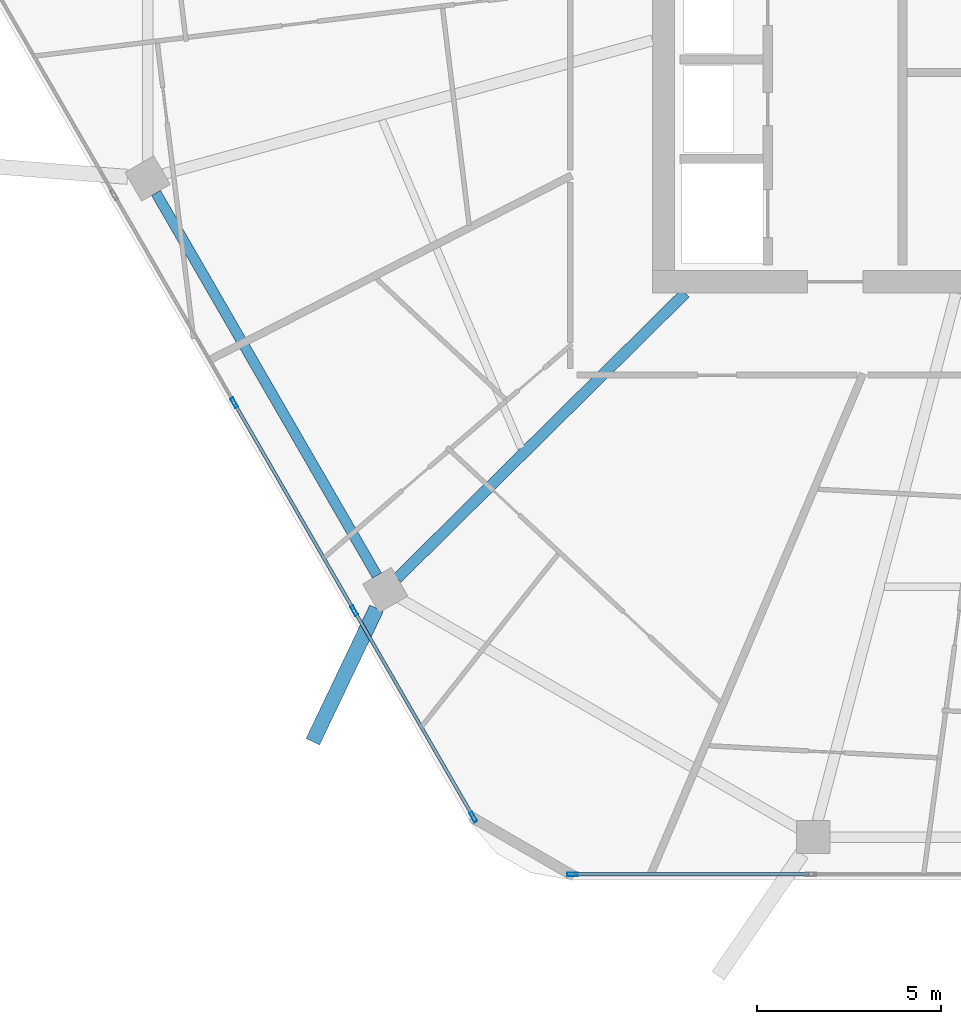
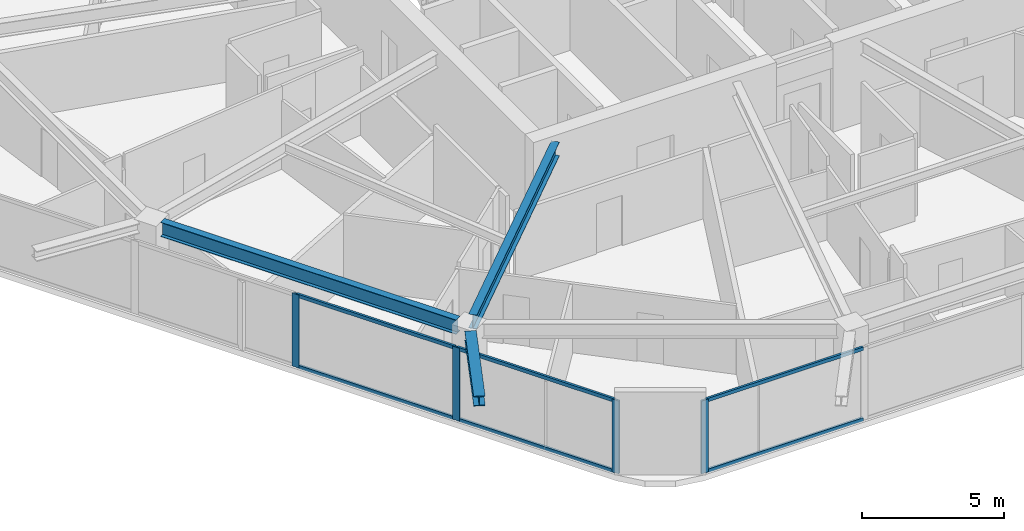
# One storey, part 2 of 25: 10 members, 3 beams, 2 elements without a shape of their own.
"""IFC4 building model written with IfcOpenShell, lengths in metres."""

from ifc_helpers import new_model, si_unit, direction, frame, origin, origin_2d, place, context, subcontext, project, spatial, hollow_rectangle, i_section, extrude, material, material_profile, profile_set, type_object, element, aggregate, save


model = new_model("IFC4")

# Units and contexts
model_context = context("Model", 3, precision=1e-05, world=origin(), true_north=direction((0.0, 1.0)))
body_context = subcontext(model_context, "Body", "Model", "MODEL_VIEW")
ifc_project = project(units=[si_unit("LENGTHUNIT", "METRE"), si_unit("AREAUNIT", "SQUARE_METRE"), si_unit("VOLUMEUNIT", "CUBIC_METRE"), si_unit("PLANEANGLEUNIT", "RADIAN"), si_unit("MASSUNIT", "GRAM", prefix="KILO")], contexts=[model_context])

# Site, building, storey
site_placement = place(None, origin())
site = spatial("IfcSite", under=ifc_project, at=site_placement, CompositionType="ELEMENT")
building_placement = place(site_placement, origin())
building = spatial("IfcBuilding", under=site, at=building_placement, Name="Zuhravey Tower", CompositionType="ELEMENT")
storey_placement = place(building_placement, frame((0.0, 0.0, 257.800048828125)))
storey = spatial("IfcBuildingStorey", under=building, at=storey_placement, Name="L65", CompositionType="ELEMENT", Elevation=257.800048828125)

# Curtain wall, member
ifc_material_1 = material(Name="Thermally broken anodised aluminium", Category="aluminium")
curtain_wall_type = type_object("IfcCurtainWallType", Name="Zone 3-4 High-Rise Curtain Wall CW4", PredefinedType="NOTDEFINED", material=ifc_material_1)
curtain_wall_1_placement = place(storey_placement, origin())
curtain_wall_1 = element("IfcCurtainWall", 1, at=curtain_wall_1_placement, inside=storey, type_object=curtain_wall_type, Name="L65 CW4 CW-L65-F5-1", PredefinedType="NOTDEFINED")
ifc_material_2 = material(Name="Anodised aluminium", Category="aluminium")
ifc_material_profile_1 = material_profile(ifc_material_2, hollow_rectangle(XDim=0.090087890625, YDim=0.284912109375, WallThickness=0.0048828125, at=origin_2d()), Name="ALU-RHS-90x285x5")
ifc_profile_set_1 = profile_set([ifc_material_profile_1], Name="Anodised aluminium")
member_type_1 = type_object("IfcMemberType", Name="Curtain-Wall Mullion 90x180", PredefinedType="MULLION", material=ifc_profile_set_1)
member_1_placement = place(storey_placement, frame((23.0322265625, 6.436279296875, 0.0), z_axis=(0.0, 0.0, 1.0), x_axis=(0.0, -1.0, 0.0)))
member_1 = element("IfcMember", 2, at=member_1_placement, type_object=member_type_1, Name="CW4 mullion 5", PredefinedType="MULLION", context=body_context, shape_type="SweptSolid", body=[
    extrude(hollow_rectangle(XDim=0.090087890625, YDim=0.284912109375, WallThickness=0.0048828125, at=origin_2d()), origin(), (0.0, 0.0, 1.0), 3.1220703125),
])

# Curtain wall, members
curtain_wall_2_placement = place(storey_placement, origin())
curtain_wall_2 = element("IfcCurtainWall", 3, at=curtain_wall_2_placement, inside=storey, type_object=curtain_wall_type, Name="L65 CW4 CW-L65-F4-1", PredefinedType="NOTDEFINED")
member_2_placement = place(storey_placement, frame((20.34521484375, 7.98779296875, 0.0), z_axis=(0.0, 0.0, 1.0), x_axis=(-0.866024851021, -0.500000957414, 0.0)))
member_2 = element("IfcMember", 4, at=member_2_placement, type_object=member_type_1, Name="CW4 mullion 1", PredefinedType="MULLION", context=body_context, shape_type="SweptSolid", body=[
    extrude(hollow_rectangle(XDim=0.090087890625, YDim=0.284912109375, WallThickness=0.0048828125, at=origin_2d()), origin(), (0.0, 0.0, 1.0), 3.1220703125),
])
member_3_placement = place(storey_placement, frame((17.114501953125, 13.58349609375, 0.0), z_axis=(0.0, 0.0, 1.0), x_axis=(-0.866024851021, -0.500000957414, 0.0)))
member_3 = element("IfcMember", 5, at=member_3_placement, type_object=member_type_1, Name="CW4 mullion 2", PredefinedType="MULLION", context=body_context, shape_type="SweptSolid", body=[
    extrude(hollow_rectangle(XDim=0.090087890625, YDim=0.284912109375, WallThickness=0.0048828125, at=origin_2d()), origin(), (0.0, 0.0, 1.0), 3.1220703125),
])
member_4_placement = place(storey_placement, frame((13.861328125, 19.21826171875, 0.0), z_axis=(0.0, 0.0, 1.0), x_axis=(-0.866024851021, -0.500000957414, 0.0)))
member_4 = element("IfcMember", 6, at=member_4_placement, type_object=member_type_1, Name="CW4 mullion 3", PredefinedType="MULLION", context=body_context, shape_type="SweptSolid", body=[
    extrude(hollow_rectangle(XDim=0.090087890625, YDim=0.284912109375, WallThickness=0.0048828125, at=origin_2d()), origin(), (0.0, 0.0, 1.0), 3.1220703125),
])

# Member
ifc_material_profile_2 = material_profile(ifc_material_2, hollow_rectangle(XDim=0.090087890625, YDim=0.14990234375, WallThickness=0.0048828125, at=origin_2d()), Name="ALU-RHS-90x150x5")
ifc_profile_set_2 = profile_set([ifc_material_profile_2], Name="Anodised aluminium")
member_type_2 = type_object("IfcMemberType", Name="Curtain-Wall Transom 90x150", PredefinedType="USERDEFINED", material=ifc_profile_set_2)
member_5_placement = place(storey_placement, frame((29.44873046875, 6.436279296875, 0.044921875), z_axis=(-1.0, 0.0, 0.0), x_axis=(0.0, -1.0, 0.0)))
member_5 = element("IfcMember", 7, at=member_5_placement, type_object=member_type_2, Name="CW4 transom 4.1", ObjectType="TRANSOM", PredefinedType="USERDEFINED", context=body_context, shape_type="SweptSolid", body=[
    extrude(hollow_rectangle(XDim=0.090087890625, YDim=0.14990234375, WallThickness=0.0048828125, at=origin_2d()), origin(), (0.0, 0.0, 1.0), 6.371337890625),
])

member_6_placement = place(storey_placement, frame((29.44873046875, 6.436279296875, 3.076904296875), z_axis=(-1.0, 0.0, 0.0), x_axis=(0.0, -1.0, 0.0)))
member_6 = element("IfcMember", 8, at=member_6_placement, type_object=member_type_2, Name="CW4 transom 4.2", ObjectType="TRANSOM", PredefinedType="USERDEFINED", context=body_context, shape_type="SweptSolid", body=[
    extrude(hollow_rectangle(XDim=0.090087890625, YDim=0.14990234375, WallThickness=0.0048828125, at=origin_2d()), origin(), (0.0, 0.0, 1.0), 6.371337890625),
])

aggregate(curtain_wall_1, [member_1, member_5, member_6])

member_7_placement = place(storey_placement, frame((20.322509765625, 8.02685546875, 0.044921875), z_axis=(-0.499980071345, 0.866036909293, 0.0), x_axis=(-0.866036909293, -0.499980071345, 0.0)))
member_7 = element("IfcMember", 9, at=member_7_placement, type_object=member_type_2, Name="CW4 transom 1.1", ObjectType="TRANSOM", PredefinedType="USERDEFINED", context=body_context, shape_type="SweptSolid", body=[
    extrude(hollow_rectangle(XDim=0.090087890625, YDim=0.14990234375, WallThickness=0.0048828125, at=origin_2d()), origin(), (0.0, 0.0, 1.0), 6.371337890625),
])

member_8_placement = place(storey_placement, frame((20.322509765625, 8.02685546875, 3.076904296875), z_axis=(-0.499980071345, 0.866036909293, 0.0), x_axis=(-0.866036909293, -0.499980071345, 0.0)))
member_8 = element("IfcMember", 10, at=member_8_placement, type_object=member_type_2, Name="CW4 transom 1.2", ObjectType="TRANSOM", PredefinedType="USERDEFINED", context=body_context, shape_type="SweptSolid", body=[
    extrude(hollow_rectangle(XDim=0.090087890625, YDim=0.14990234375, WallThickness=0.0048828125, at=origin_2d()), origin(), (0.0, 0.0, 1.0), 6.371337890625),
])

member_9_placement = place(storey_placement, frame((17.092041015625, 13.62255859375, 0.044921875), z_axis=(-0.500014493347, 0.866017035885, 0.0), x_axis=(-0.866017035885, -0.500014493347, 0.0)))
member_9 = element("IfcMember", 11, at=member_9_placement, type_object=member_type_2, Name="CW4 transom 2.1", ObjectType="TRANSOM", PredefinedType="USERDEFINED", context=body_context, shape_type="SweptSolid", body=[
    extrude(hollow_rectangle(XDim=0.090087890625, YDim=0.14990234375, WallThickness=0.0048828125, at=origin_2d()), origin(), (0.0, 0.0, 1.0), 6.416259765625),
])

member_10_placement = place(storey_placement, frame((17.092041015625, 13.62255859375, 3.076904296875), z_axis=(-0.500014493347, 0.866017035885, 0.0), x_axis=(-0.866017035885, -0.500014493347, 0.0)))
member_10 = element("IfcMember", 12, at=member_10_placement, type_object=member_type_2, Name="CW4 transom 2.2", ObjectType="TRANSOM", PredefinedType="USERDEFINED", context=body_context, shape_type="SweptSolid", body=[
    extrude(hollow_rectangle(XDim=0.090087890625, YDim=0.14990234375, WallThickness=0.0048828125, at=origin_2d()), origin(), (0.0, 0.0, 1.0), 6.416259765625),
])

aggregate(curtain_wall_2, [member_2, member_3, member_4, member_7, member_8, member_9, member_10])

# Beams
ifc_material_3 = material(Name="Steel SM460", Category="steel")
ifc_material_profile_3 = material_profile(ifc_material_3, i_section(OverallWidth=0.406982421875, OverallDepth=0.427978515625, WebThickness=0.02001953125, FlangeThickness=0.034912109375, at=origin_2d()), Name="H-428x407x20x35")
ifc_profile_set_3 = profile_set([ifc_material_profile_3], Name="Steel SM460")
beam_type_1 = type_object("IfcBeamType", Name="Exoskeleton Node Tie Beam H428x407", PredefinedType="BEAM", material=ifc_profile_set_3)
beam_1_placement = place(storey_placement, frame((17.719482421875, 13.649169921875, 3.3359375), z_axis=(-0.431011445347, -0.902346460058, 0.0), x_axis=(0.902346460058, -0.431011445347, 0.0)))
element("IfcBeam", 13, at=beam_1_placement, inside=storey, type_object=beam_type_1, Name="L65 Exoskeleton Node Tie NT1-08", PredefinedType="BEAM", context=body_context, shape_type="SweptSolid", body=[
    extrude(i_section(OverallWidth=0.406982421875, OverallDepth=0.427978515625, WebThickness=0.02001953125, FlangeThickness=0.034912109375, at=origin_2d()), origin(), (0.0, 0.0, 1.0), 4.008056640625),
])
ifc_material_4 = material(Name="Steel SM355", Category="steel")
ifc_material_profile_4 = material_profile(ifc_material_4, i_section(OverallWidth=0.280029296875, OverallDepth=0.6201171875, WebThickness=0.011962890625, FlangeThickness=0.02001953125, at=origin_2d()), Name="H-620x280x12x20")
ifc_profile_set_4 = profile_set([ifc_material_profile_4], Name="Steel SM355")
beam_type_2 = type_object("IfcBeamType", Name="Perimeter Ring Beam H620x280", PredefinedType="BEAM", material=ifc_profile_set_4)
beam_2_placement = place(storey_placement, frame((11.741943359375, 24.90869140625, 3.239990234375), z_axis=(0.500017744717, -0.866015158625, 0.0), x_axis=(0.866015158625, 0.500017744717, 0.0)))
element("IfcBeam", 14, at=beam_2_placement, inside=storey, type_object=beam_type_2, Name="L65 PB3 BM-L65-PB-07", PredefinedType="BEAM", context=body_context, shape_type="SweptSolid", body=[
    extrude(i_section(OverallWidth=0.280029296875, OverallDepth=0.6201171875, WebThickness=0.011962890625, FlangeThickness=0.02001953125, at=origin_2d()), origin(), (0.0, 0.0, 1.0), 11.9755859375),
])
ifc_material_profile_5 = material_profile(ifc_material_4, i_section(OverallWidth=0.300048828125, OverallDepth=0.60009765625, WebThickness=0.011962890625, FlangeThickness=0.02001953125, at=origin_2d()), Name="H-600x300x12x20")
ifc_profile_set_5 = profile_set([ifc_material_profile_5], Name="Steel SM355")
beam_type_3 = type_object("IfcBeamType", Name="Radial Primary Girder H600x300", PredefinedType="BEAM", material=ifc_profile_set_5)
beam_3_placement = place(storey_placement, frame((26.09326171875, 22.197021484375, 3.25), z_axis=(-0.710816516282, -0.703377480576, 0.0), x_axis=(0.703377480576, -0.710816516282, 0.0)))
element("IfcBeam", 15, at=beam_3_placement, inside=storey, type_object=beam_type_3, Name="L65 RG3 BM-L65-RAD-08", PredefinedType="BEAM", context=body_context, shape_type="SweptSolid", body=[
    extrude(i_section(OverallWidth=0.300048828125, OverallDepth=0.60009765625, WebThickness=0.011962890625, FlangeThickness=0.02001953125, at=origin_2d()), origin(), (0.0, 0.0, 1.0), 10.994384765625),
])

save(model, "model.ifc")
